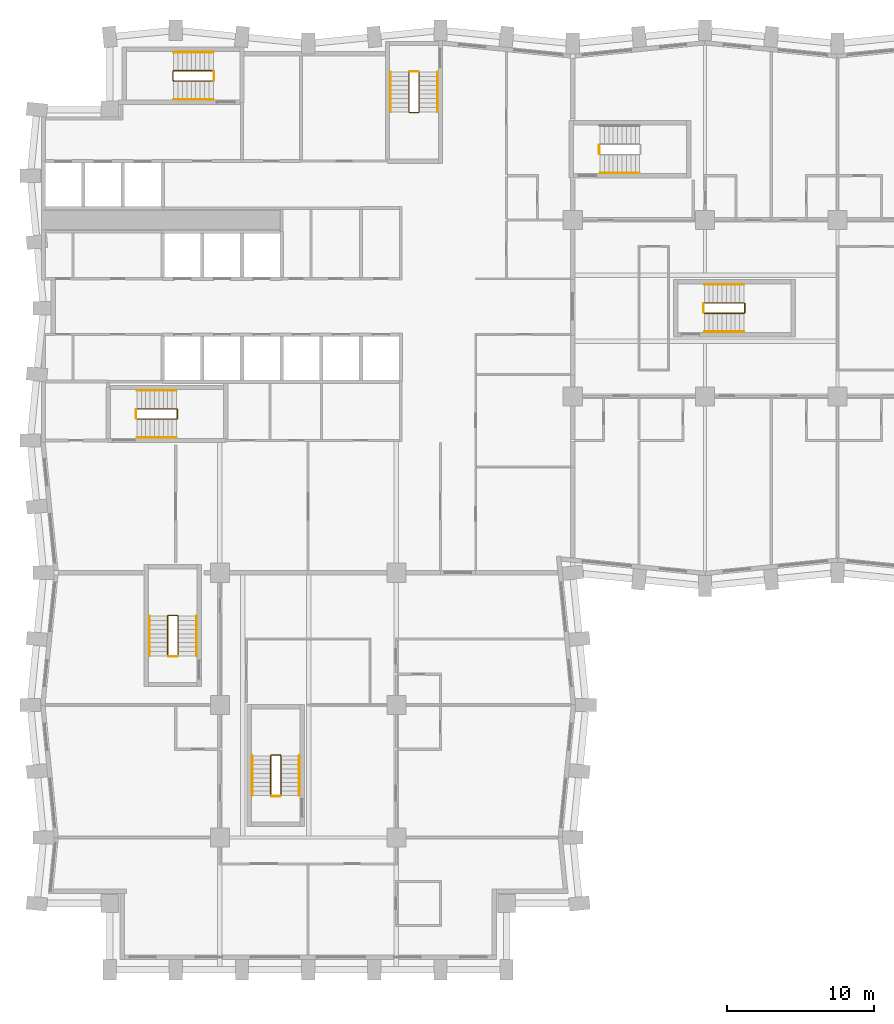
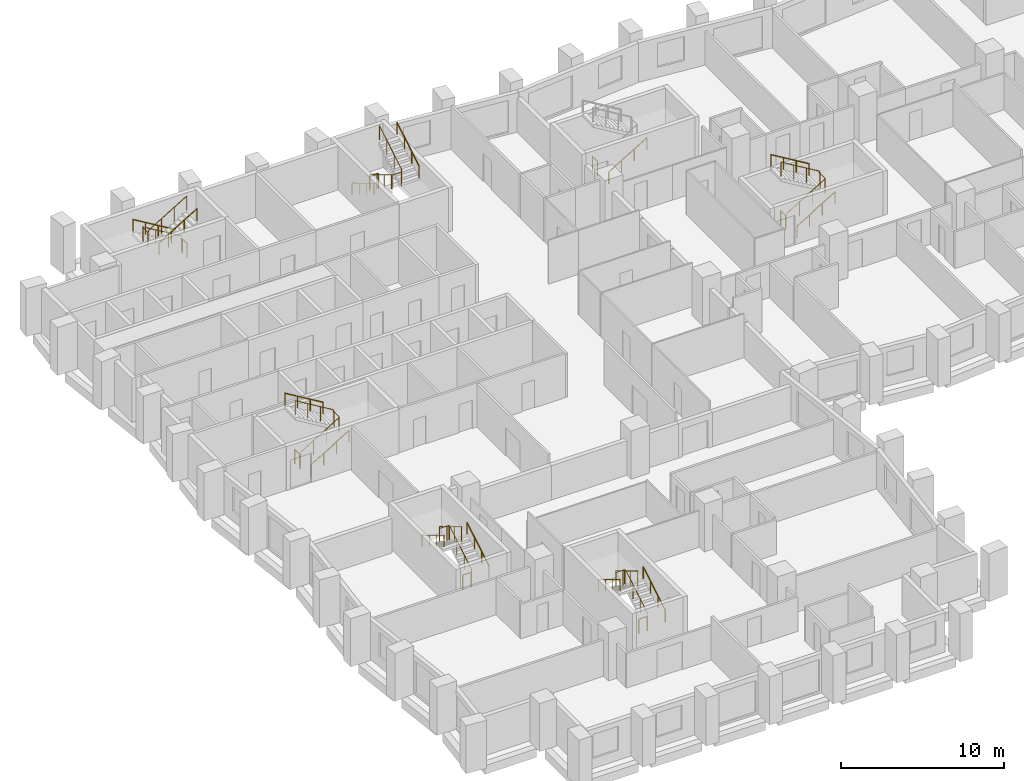
# One storey, part 11 of 12: 26 railings.
"""IFC4 building model written with IfcOpenShell, lengths in metres."""

from ifc_helpers import new_model, si_unit, direction, frame, origin, origin_2d, place, context, subcontext, project, spatial, circle, extrude, material, type_object, element, save


model = new_model("IFC4")

# Units and contexts
model_context = context("Model", 3, precision=1e-05, world=origin(), true_north=direction((0.0, 1.0)))
body_context = subcontext(model_context, "Body", "Model", "MODEL_VIEW")
ifc_project = project(units=[si_unit("LENGTHUNIT", "METRE"), si_unit("AREAUNIT", "SQUARE_METRE"), si_unit("VOLUMEUNIT", "CUBIC_METRE"), si_unit("PLANEANGLEUNIT", "RADIAN"), si_unit("MASSUNIT", "GRAM", prefix="KILO")], contexts=[model_context])

# Site, building, storey
site_placement = place(None, origin())
site = spatial("IfcSite", under=ifc_project, at=site_placement, CompositionType="ELEMENT")
building_placement = place(site_placement, origin())
building = spatial("IfcBuilding", under=site, at=building_placement, Name="Brondeck Convention Tower", CompositionType="ELEMENT")
storey_placement = place(building_placement, frame((0.0, 0.0, 55.5)))
storey = spatial("IfcBuildingStorey", under=building, at=storey_placement, Name="L11", CompositionType="ELEMENT", Elevation=55.5)

# Railings
ifc_material = material(Name="Steel S355", Category="steel")
railing_type_1 = type_object("IfcRailingType", Name="Stair guard 1100", PredefinedType="GUARDRAIL", material=ifc_material)
railing_1_placement = place(storey_placement, frame((6.35009765625, 37.449951171875, 0.179931640625)))
element("IfcRailing", 1, at=railing_1_placement, inside=storey, type_object=railing_type_1, Name="L11 ST-1 stair guard 1", PredefinedType="GUARDRAIL", context=body_context, shape_type="SweptSolid", body=[
    extrude(circle(Radius=0.02392578125, at=origin_2d()), frame((0.0, 0.0, 1.076171875), z_axis=(0.857472400752, 0.0, 0.514529962148), x_axis=(0.0, 1.0, 0.0)), (0.0, 0.0, 1.0), 3.148681640625),
    extrude(circle(Radius=0.02392578125, at=origin_2d()), frame((2.699951171875, 0.0, 2.6962890625), z_axis=(0.707106781187, 0.707106781187, 0.0), x_axis=(-0.707106781187, 0.707106781187, 0.0)), (0.0, 0.0, 1.0), 0.07080078125),
    extrude(circle(Radius=0.02392578125, at=origin_2d()), frame((2.75, 0.050048828125, 2.6962890625), z_axis=(0.0, 1.0, 0.0), x_axis=(-1.0, 0.0, 0.0)), (0.0, 0.0, 1.0), 0.60009765625),
    extrude(circle(Radius=0.02392578125, at=origin_2d()), frame((2.75, 0.650146484375, 2.6962890625), z_axis=(-0.258932105505, 0.257669022063, 0.930892496375), x_axis=(-0.705375805398, -0.708833529934, 0.0)), (0.0, 0.0, 1.0), 0.193359375),
    extrude(circle(Radius=0.02392578125, at=origin_2d()), frame((2.699951171875, 0.699951171875, 2.8759765625), z_axis=(-0.857472400752, 0.0, 0.514529962148), x_axis=(0.0, -1.0, 0.0)), (0.0, 0.0, 1.0), 3.148681640625),
    extrude(circle(Radius=0.02099609375, at=origin_2d()), origin(), (0.0, 0.0, 1.0), 1.052001953125),
    extrude(circle(Radius=0.02099609375, at=origin_2d()), frame((0.89990234375, 0.0, 0.5400390625)), (0.0, 0.0, 1.0), 1.052001953125),
    extrude(circle(Radius=0.02099609375, at=origin_2d()), frame((1.800048828125, 0.0, 1.080078125)), (0.0, 0.0, 1.0), 1.052001953125),
    extrude(circle(Radius=0.02099609375, at=origin_2d()), frame((2.699951171875, 0.0, 1.6201171875)), (0.0, 0.0, 1.0), 1.052001953125),
    extrude(circle(Radius=0.02099609375, at=origin_2d()), frame((2.75, 0.050048828125, 1.6201171875)), (0.0, 0.0, 1.0), 1.052001953125),
    extrude(circle(Radius=0.02099609375, at=origin_2d()), frame((2.75, 0.650146484375, 1.6201171875)), (0.0, 0.0, 1.0), 1.052001953125),
    extrude(circle(Radius=0.02099609375, at=origin_2d()), frame((2.699951171875, 0.699951171875, 1.800048828125)), (0.0, 0.0, 1.0), 1.052001953125),
    extrude(circle(Radius=0.02099609375, at=origin_2d()), frame((1.800048828125, 0.699951171875, 2.340087890625)), (0.0, 0.0, 1.0), 1.052001953125),
    extrude(circle(Radius=0.02099609375, at=origin_2d()), frame((0.89990234375, 0.699951171875, 2.880126953125)), (0.0, 0.0, 1.0), 1.052001953125),
    extrude(circle(Radius=0.02099609375, at=origin_2d()), frame((0.0, 0.699951171875, 3.420166015625)), (0.0, 0.0, 1.0), 1.052001953125),
])
railing_2_placement = place(storey_placement, frame((6.300048828125, 37.5, 0.0)))
element("IfcRailing", 2, at=railing_2_placement, inside=storey, type_object=railing_type_1, Name="L11 ST-1 stair guard 2", PredefinedType="GUARDRAIL", context=body_context, shape_type="SweptSolid", body=[
    extrude(circle(Radius=0.02392578125, at=origin_2d()), frame((0.0, 0.0, 1.076171875), z_axis=(0.0, 1.0, 0.0), x_axis=(-1.0, 0.0, 0.0)), (0.0, 0.0, 1.0), 0.60009765625),
    extrude(circle(Radius=0.02099609375, at=origin_2d()), origin(), (0.0, 0.0, 1.0), 1.052001953125),
    extrude(circle(Radius=0.02099609375, at=origin_2d()), frame((0.0, 0.60009765625, 0.0)), (0.0, 0.0, 1.0), 1.052001953125),
])
railing_3_placement = place(storey_placement, frame((24.85009765625, 61.050048828125, 0.179931640625)))
element("IfcRailing", 3, at=railing_3_placement, inside=storey, type_object=railing_type_1, Name="L11 ST-2 stair guard 1", PredefinedType="GUARDRAIL", context=body_context, shape_type="SweptSolid", body=[
    extrude(circle(Radius=0.02392578125, at=origin_2d()), frame((0.0, 0.0, 1.076171875), z_axis=(0.0, -0.857472400752, 0.514529962148), x_axis=(1.0, 0.0, 0.0)), (0.0, 0.0, 1.0), 3.148681640625),
    extrude(circle(Radius=0.02392578125, at=origin_2d()), frame((0.0, -2.699951171875, 2.6962890625), z_axis=(0.705375805398, -0.708833529934, 0.0), x_axis=(0.708833529934, 0.705375805398, 0.0)), (0.0, 0.0, 1.0), 0.070556640625),
    extrude(circle(Radius=0.02392578125, at=origin_2d()), frame((0.0498046875, -2.75, 2.6962890625), z_axis=(1.0, 0.0, 0.0), x_axis=(0.0, 1.0, 0.0)), (0.0, 0.0, 1.0), 0.60009765625),
    extrude(circle(Radius=0.02392578125, at=origin_2d()), frame((0.64990234375, -2.75, 2.6962890625), z_axis=(0.258847668887, 0.258847668887, 0.930588936439), x_axis=(-0.707106781187, 0.707106781187, 0.0)), (0.0, 0.0, 1.0), 0.193359375),
    extrude(circle(Radius=0.02392578125, at=origin_2d()), frame((0.699951171875, -2.699951171875, 2.8759765625), z_axis=(0.0, 0.857472400752, 0.514529962148), x_axis=(-1.0, 0.0, 0.0)), (0.0, 0.0, 1.0), 3.148681640625),
    extrude(circle(Radius=0.02099609375, at=origin_2d()), origin(), (0.0, 0.0, 1.0), 1.052001953125),
    extrude(circle(Radius=0.02099609375, at=origin_2d()), frame((0.0, -0.89990234375, 0.5400390625)), (0.0, 0.0, 1.0), 1.052001953125),
    extrude(circle(Radius=0.02099609375, at=origin_2d()), frame((0.0, -1.800048828125, 1.080078125)), (0.0, 0.0, 1.0), 1.052001953125),
    extrude(circle(Radius=0.02099609375, at=origin_2d()), frame((0.0, -2.699951171875, 1.6201171875)), (0.0, 0.0, 1.0), 1.052001953125),
    extrude(circle(Radius=0.02099609375, at=origin_2d()), frame((0.0498046875, -2.75, 1.6201171875)), (0.0, 0.0, 1.0), 1.052001953125),
    extrude(circle(Radius=0.02099609375, at=origin_2d()), frame((0.64990234375, -2.75, 1.6201171875)), (0.0, 0.0, 1.0), 1.052001953125),
    extrude(circle(Radius=0.02099609375, at=origin_2d()), frame((0.699951171875, -2.699951171875, 1.800048828125)), (0.0, 0.0, 1.0), 1.052001953125),
    extrude(circle(Radius=0.02099609375, at=origin_2d()), frame((0.699951171875, -1.800048828125, 2.340087890625)), (0.0, 0.0, 1.0), 1.052001953125),
    extrude(circle(Radius=0.02099609375, at=origin_2d()), frame((0.699951171875, -0.89990234375, 2.880126953125)), (0.0, 0.0, 1.0), 1.052001953125),
    extrude(circle(Radius=0.02099609375, at=origin_2d()), frame((0.699951171875, 0.0, 3.420166015625)), (0.0, 0.0, 1.0), 1.052001953125),
])
railing_4_placement = place(storey_placement, frame((24.89990234375, 61.10009765625, 0.0)))
element("IfcRailing", 4, at=railing_4_placement, inside=storey, type_object=railing_type_1, Name="L11 ST-2 stair guard 2", PredefinedType="GUARDRAIL", context=body_context, shape_type="SweptSolid", body=[
    extrude(circle(Radius=0.02392578125, at=origin_2d()), frame((0.0, 0.0, 1.076171875), z_axis=(1.0, 0.0, 0.0), x_axis=(0.0, 1.0, 0.0)), (0.0, 0.0, 1.0), 0.60009765625),
    extrude(circle(Radius=0.02099609375, at=origin_2d()), origin(), (0.0, 0.0, 1.0), 1.052001953125),
    extrude(circle(Radius=0.02099609375, at=origin_2d()), frame((0.60009765625, 0.0, 0.0)), (0.0, 0.0, 1.0), 1.052001953125),
])
railing_5_placement = place(storey_placement, frame((11.550048828125, 61.14990234375, 0.179931640625)))
element("IfcRailing", 5, at=railing_5_placement, inside=storey, type_object=railing_type_1, Name="L11 ST-3 stair guard 1", PredefinedType="GUARDRAIL", context=body_context, shape_type="SweptSolid", body=[
    extrude(circle(Radius=0.02392578125, at=origin_2d()), frame((0.0, 0.0, 1.076171875), z_axis=(-0.857472400752, 0.0, 0.514529962148), x_axis=(0.0, -1.0, 0.0)), (0.0, 0.0, 1.0), 3.148681640625),
    extrude(circle(Radius=0.02392578125, at=origin_2d()), frame((-2.699951171875, 0.0, 2.6962890625), z_axis=(-0.708833529934, -0.705375805398, 0.0), x_axis=(0.705375805398, -0.708833529934, 0.0)), (0.0, 0.0, 1.0), 0.070556640625),
    extrude(circle(Radius=0.02392578125, at=origin_2d()), frame((-2.75, -0.0498046875, 2.6962890625), z_axis=(0.0, -1.0, 0.0), x_axis=(1.0, 0.0, 0.0)), (0.0, 0.0, 1.0), 0.60009765625),
    extrude(circle(Radius=0.02392578125, at=origin_2d()), frame((-2.75, -0.64990234375, 2.6962890625), z_axis=(0.258847668887, -0.258847668887, 0.930588936439), x_axis=(0.707106781187, 0.707106781187, 0.0)), (0.0, 0.0, 1.0), 0.193359375),
    extrude(circle(Radius=0.02392578125, at=origin_2d()), frame((-2.699951171875, -0.699951171875, 2.8759765625), z_axis=(0.857472400752, 0.0, 0.514529962148), x_axis=(0.0, 1.0, 0.0)), (0.0, 0.0, 1.0), 3.148681640625),
    extrude(circle(Radius=0.02099609375, at=origin_2d()), origin(), (0.0, 0.0, 1.0), 1.052001953125),
    extrude(circle(Radius=0.02099609375, at=origin_2d()), frame((-0.89990234375, 0.0, 0.5400390625)), (0.0, 0.0, 1.0), 1.052001953125),
    extrude(circle(Radius=0.02099609375, at=origin_2d()), frame((-1.800048828125, 0.0, 1.080078125)), (0.0, 0.0, 1.0), 1.052001953125),
    extrude(circle(Radius=0.02099609375, at=origin_2d()), frame((-2.699951171875, 0.0, 1.6201171875)), (0.0, 0.0, 1.0), 1.052001953125),
    extrude(circle(Radius=0.02099609375, at=origin_2d()), frame((-2.75, -0.0498046875, 1.6201171875)), (0.0, 0.0, 1.0), 1.052001953125),
    extrude(circle(Radius=0.02099609375, at=origin_2d()), frame((-2.75, -0.64990234375, 1.6201171875)), (0.0, 0.0, 1.0), 1.052001953125),
    extrude(circle(Radius=0.02099609375, at=origin_2d()), frame((-2.699951171875, -0.699951171875, 1.800048828125)), (0.0, 0.0, 1.0), 1.052001953125),
    extrude(circle(Radius=0.02099609375, at=origin_2d()), frame((-1.800048828125, -0.699951171875, 2.340087890625)), (0.0, 0.0, 1.0), 1.052001953125),
    extrude(circle(Radius=0.02099609375, at=origin_2d()), frame((-0.89990234375, -0.699951171875, 2.880126953125)), (0.0, 0.0, 1.0), 1.052001953125),
    extrude(circle(Radius=0.02099609375, at=origin_2d()), frame((0.0, -0.699951171875, 3.420166015625)), (0.0, 0.0, 1.0), 1.052001953125),
])
railing_6_placement = place(storey_placement, frame((11.60009765625, 61.10009765625, 0.0)))
element("IfcRailing", 6, at=railing_6_placement, inside=storey, type_object=railing_type_1, Name="L11 ST-3 stair guard 2", PredefinedType="GUARDRAIL", context=body_context, shape_type="SweptSolid", body=[
    extrude(circle(Radius=0.02392578125, at=origin_2d()), frame((0.0, 0.0, 1.076171875), z_axis=(0.0, -1.0, 0.0), x_axis=(1.0, 0.0, 0.0)), (0.0, 0.0, 1.0), 0.60009765625),
    extrude(circle(Radius=0.02099609375, at=origin_2d()), origin(), (0.0, 0.0, 1.0), 1.052001953125),
    extrude(circle(Radius=0.02099609375, at=origin_2d()), frame((0.0, -0.60009765625, 0.0)), (0.0, 0.0, 1.0), 1.052001953125),
])
railing_7_placement = place(storey_placement, frame((37.800048828125, 55.5, 0.0)))
element("IfcRailing", 7, at=railing_7_placement, inside=storey, type_object=railing_type_1, Name="L11 ST-AE stair guard 2", PredefinedType="GUARDRAIL", context=body_context, shape_type="SweptSolid", body=[
    extrude(circle(Radius=0.02392578125, at=origin_2d()), frame((0.0, 0.0, 1.076171875), z_axis=(0.0, 1.0, 0.0), x_axis=(-1.0, 0.0, 0.0)), (0.0, 0.0, 1.0), 0.60009765625),
    extrude(circle(Radius=0.02099609375, at=origin_2d()), origin(), (0.0, 0.0, 1.0), 1.052001953125),
    extrude(circle(Radius=0.02099609375, at=origin_2d()), frame((0.0, 0.60009765625, 0.0)), (0.0, 0.0, 1.0), 1.052001953125),
])
railing_8_placement = place(storey_placement, frame((9.14990234375, 21.35009765625, 0.179931640625)))
element("IfcRailing", 8, at=railing_8_placement, inside=storey, type_object=railing_type_1, Name="L11 ST-BE stair guard 1", PredefinedType="GUARDRAIL", context=body_context, shape_type="SweptSolid", body=[
    extrude(circle(Radius=0.02392578125, at=origin_2d()), frame((0.0, 0.0, 1.076171875), z_axis=(0.0, 0.857472400752, 0.514529962148), x_axis=(-1.0, 0.0, 0.0)), (0.0, 0.0, 1.0), 3.148681640625),
    extrude(circle(Radius=0.02392578125, at=origin_2d()), frame((0.0, 2.699951171875, 2.6962890625), z_axis=(-0.705375805398, 0.708833529934, 0.0), x_axis=(-0.708833529934, -0.705375805398, 0.0)), (0.0, 0.0, 1.0), 0.070556640625),
    extrude(circle(Radius=0.02392578125, at=origin_2d()), frame((-0.0498046875, 2.75, 2.6962890625), z_axis=(-1.0, 0.0, 0.0), x_axis=(0.0, -1.0, 0.0)), (0.0, 0.0, 1.0), 0.60009765625),
    extrude(circle(Radius=0.02392578125, at=origin_2d()), frame((-0.64990234375, 2.75, 2.6962890625), z_axis=(-0.258847668887, -0.258847668887, 0.930588936439), x_axis=(0.707106781187, -0.707106781187, 0.0)), (0.0, 0.0, 1.0), 0.193359375),
    extrude(circle(Radius=0.02392578125, at=origin_2d()), frame((-0.699951171875, 2.699951171875, 2.8759765625), z_axis=(0.0, -0.857472400752, 0.514529962148), x_axis=(1.0, 0.0, 0.0)), (0.0, 0.0, 1.0), 3.148681640625),
    extrude(circle(Radius=0.02099609375, at=origin_2d()), origin(), (0.0, 0.0, 1.0), 1.052001953125),
    extrude(circle(Radius=0.02099609375, at=origin_2d()), frame((0.0, 0.89990234375, 0.5400390625)), (0.0, 0.0, 1.0), 1.052001953125),
    extrude(circle(Radius=0.02099609375, at=origin_2d()), frame((0.0, 1.800048828125, 1.080078125)), (0.0, 0.0, 1.0), 1.052001953125),
    extrude(circle(Radius=0.02099609375, at=origin_2d()), frame((0.0, 2.699951171875, 1.6201171875)), (0.0, 0.0, 1.0), 1.052001953125),
    extrude(circle(Radius=0.02099609375, at=origin_2d()), frame((-0.0498046875, 2.75, 1.6201171875)), (0.0, 0.0, 1.0), 1.052001953125),
    extrude(circle(Radius=0.02099609375, at=origin_2d()), frame((-0.64990234375, 2.75, 1.6201171875)), (0.0, 0.0, 1.0), 1.052001953125),
    extrude(circle(Radius=0.02099609375, at=origin_2d()), frame((-0.699951171875, 2.699951171875, 1.800048828125)), (0.0, 0.0, 1.0), 1.052001953125),
    extrude(circle(Radius=0.02099609375, at=origin_2d()), frame((-0.699951171875, 1.800048828125, 2.340087890625)), (0.0, 0.0, 1.0), 1.052001953125),
    extrude(circle(Radius=0.02099609375, at=origin_2d()), frame((-0.699951171875, 0.89990234375, 2.880126953125)), (0.0, 0.0, 1.0), 1.052001953125),
    extrude(circle(Radius=0.02099609375, at=origin_2d()), frame((-0.699951171875, 0.0, 3.420166015625)), (0.0, 0.0, 1.0), 1.052001953125),
])
railing_9_placement = place(storey_placement, frame((9.10009765625, 21.300048828125, 0.0)))
element("IfcRailing", 9, at=railing_9_placement, inside=storey, type_object=railing_type_1, Name="L11 ST-BE stair guard 2", PredefinedType="GUARDRAIL", context=body_context, shape_type="SweptSolid", body=[
    extrude(circle(Radius=0.02392578125, at=origin_2d()), frame((0.0, 0.0, 1.076171875), z_axis=(-1.0, 0.0, 0.0), x_axis=(0.0, -1.0, 0.0)), (0.0, 0.0, 1.0), 0.60009765625),
    extrude(circle(Radius=0.02099609375, at=origin_2d()), origin(), (0.0, 0.0, 1.0), 1.052001953125),
    extrude(circle(Radius=0.02099609375, at=origin_2d()), frame((-0.60009765625, 0.0, 0.0)), (0.0, 0.0, 1.0), 1.052001953125),
])
railing_10_placement = place(storey_placement, frame((44.949951171875, 44.64990234375, 0.179931640625)))
element("IfcRailing", 10, at=railing_10_placement, inside=storey, type_object=railing_type_1, Name="L11 ST-AF stair guard 1", PredefinedType="GUARDRAIL", context=body_context, shape_type="SweptSolid", body=[
    extrude(circle(Radius=0.02392578125, at=origin_2d()), frame((0.0, 0.0, 1.076171875), z_axis=(0.857472400752, 0.0, 0.514529962148), x_axis=(0.0, 1.0, 0.0)), (0.0, 0.0, 1.0), 3.148681640625),
    extrude(circle(Radius=0.02392578125, at=origin_2d()), frame((2.699951171875, 0.0, 2.6962890625), z_axis=(0.707106781187, 0.707106781187, 0.0), x_axis=(-0.707106781187, 0.707106781187, 0.0)), (0.0, 0.0, 1.0), 0.07080078125),
    extrude(circle(Radius=0.02392578125, at=origin_2d()), frame((2.75, 0.050048828125, 2.6962890625), z_axis=(0.0, 1.0, 0.0), x_axis=(-1.0, 0.0, 0.0)), (0.0, 0.0, 1.0), 0.60009765625),
    extrude(circle(Radius=0.02392578125, at=origin_2d()), frame((2.75, 0.650146484375, 2.6962890625), z_axis=(-0.258847668887, 0.258847668887, 0.930588936439), x_axis=(-0.707106781187, -0.707106781187, 0.0)), (0.0, 0.0, 1.0), 0.193359375),
    extrude(circle(Radius=0.02392578125, at=origin_2d()), frame((2.699951171875, 0.7001953125, 2.8759765625), z_axis=(-0.857472400752, 0.0, 0.514529962148), x_axis=(0.0, -1.0, 0.0)), (0.0, 0.0, 1.0), 3.148681640625),
    extrude(circle(Radius=0.02099609375, at=origin_2d()), origin(), (0.0, 0.0, 1.0), 1.052001953125),
    extrude(circle(Radius=0.02099609375, at=origin_2d()), frame((0.89990234375, 0.0, 0.5400390625)), (0.0, 0.0, 1.0), 1.052001953125),
    extrude(circle(Radius=0.02099609375, at=origin_2d()), frame((1.800048828125, 0.0, 1.080078125)), (0.0, 0.0, 1.0), 1.052001953125),
    extrude(circle(Radius=0.02099609375, at=origin_2d()), frame((2.699951171875, 0.0, 1.6201171875)), (0.0, 0.0, 1.0), 1.052001953125),
    extrude(circle(Radius=0.02099609375, at=origin_2d()), frame((2.75, 0.050048828125, 1.6201171875)), (0.0, 0.0, 1.0), 1.052001953125),
    extrude(circle(Radius=0.02099609375, at=origin_2d()), frame((2.75, 0.650146484375, 1.6201171875)), (0.0, 0.0, 1.0), 1.052001953125),
    extrude(circle(Radius=0.02099609375, at=origin_2d()), frame((2.699951171875, 0.7001953125, 1.800048828125)), (0.0, 0.0, 1.0), 1.052001953125),
    extrude(circle(Radius=0.02099609375, at=origin_2d()), frame((1.800048828125, 0.7001953125, 2.340087890625)), (0.0, 0.0, 1.0), 1.052001953125),
    extrude(circle(Radius=0.02099609375, at=origin_2d()), frame((0.89990234375, 0.7001953125, 2.880126953125)), (0.0, 0.0, 1.0), 1.052001953125),
    extrude(circle(Radius=0.02099609375, at=origin_2d()), frame((0.0, 0.7001953125, 3.420166015625)), (0.0, 0.0, 1.0), 1.052001953125),
])
railing_11_placement = place(storey_placement, frame((44.89990234375, 44.699951171875, 0.0)))
element("IfcRailing", 11, at=railing_11_placement, inside=storey, type_object=railing_type_1, Name="L11 ST-AF stair guard 2", PredefinedType="GUARDRAIL", context=body_context, shape_type="SweptSolid", body=[
    extrude(circle(Radius=0.02392578125, at=origin_2d()), frame((0.0, 0.0, 1.076171875), z_axis=(0.0, 1.0, 0.0), x_axis=(-1.0, 0.0, 0.0)), (0.0, 0.0, 1.0), 0.60009765625),
    extrude(circle(Radius=0.02099609375, at=origin_2d()), origin(), (0.0, 0.0, 1.0), 1.052001953125),
    extrude(circle(Radius=0.02099609375, at=origin_2d()), frame((0.0, 0.60009765625, 0.0)), (0.0, 0.0, 1.0), 1.052001953125),
])
railing_12_placement = place(storey_placement, frame((16.14990234375, 11.85009765625, 0.179931640625)))
element("IfcRailing", 12, at=railing_12_placement, inside=storey, type_object=railing_type_1, Name="L11 ST-BF stair guard 1", PredefinedType="GUARDRAIL", context=body_context, shape_type="SweptSolid", body=[
    extrude(circle(Radius=0.02392578125, at=origin_2d()), frame((0.0, 0.0, 1.076171875), z_axis=(0.0, 0.857472400752, 0.514529962148), x_axis=(-1.0, 0.0, 0.0)), (0.0, 0.0, 1.0), 3.148681640625),
    extrude(circle(Radius=0.02392578125, at=origin_2d()), frame((0.0, 2.699951171875, 2.6962890625), z_axis=(-0.705375805398, 0.708833529934, 0.0), x_axis=(-0.708833529934, -0.705375805398, 0.0)), (0.0, 0.0, 1.0), 0.070556640625),
    extrude(circle(Radius=0.02392578125, at=origin_2d()), frame((-0.0498046875, 2.75, 2.6962890625), z_axis=(-1.0, 0.0, 0.0), x_axis=(0.0, -1.0, 0.0)), (0.0, 0.0, 1.0), 0.60009765625),
    extrude(circle(Radius=0.02392578125, at=origin_2d()), frame((-0.64990234375, 2.75, 2.6962890625), z_axis=(-0.258847668887, -0.258847668887, 0.930588936439), x_axis=(0.707106781187, -0.707106781187, 0.0)), (0.0, 0.0, 1.0), 0.193359375),
    extrude(circle(Radius=0.02392578125, at=origin_2d()), frame((-0.699951171875, 2.699951171875, 2.8759765625), z_axis=(0.0, -0.857472400752, 0.514529962148), x_axis=(1.0, 0.0, 0.0)), (0.0, 0.0, 1.0), 3.148681640625),
    extrude(circle(Radius=0.02099609375, at=origin_2d()), origin(), (0.0, 0.0, 1.0), 1.052001953125),
    extrude(circle(Radius=0.02099609375, at=origin_2d()), frame((0.0, 0.89990234375, 0.5400390625)), (0.0, 0.0, 1.0), 1.052001953125),
    extrude(circle(Radius=0.02099609375, at=origin_2d()), frame((0.0, 1.800048828125, 1.080078125)), (0.0, 0.0, 1.0), 1.052001953125),
    extrude(circle(Radius=0.02099609375, at=origin_2d()), frame((0.0, 2.699951171875, 1.6201171875)), (0.0, 0.0, 1.0), 1.052001953125),
    extrude(circle(Radius=0.02099609375, at=origin_2d()), frame((-0.0498046875, 2.75, 1.6201171875)), (0.0, 0.0, 1.0), 1.052001953125),
    extrude(circle(Radius=0.02099609375, at=origin_2d()), frame((-0.64990234375, 2.75, 1.6201171875)), (0.0, 0.0, 1.0), 1.052001953125),
    extrude(circle(Radius=0.02099609375, at=origin_2d()), frame((-0.699951171875, 2.699951171875, 1.800048828125)), (0.0, 0.0, 1.0), 1.052001953125),
    extrude(circle(Radius=0.02099609375, at=origin_2d()), frame((-0.699951171875, 1.800048828125, 2.340087890625)), (0.0, 0.0, 1.0), 1.052001953125),
    extrude(circle(Radius=0.02099609375, at=origin_2d()), frame((-0.699951171875, 0.89990234375, 2.880126953125)), (0.0, 0.0, 1.0), 1.052001953125),
    extrude(circle(Radius=0.02099609375, at=origin_2d()), frame((-0.699951171875, 0.0, 3.420166015625)), (0.0, 0.0, 1.0), 1.052001953125),
])
railing_13_placement = place(storey_placement, frame((16.10009765625, 11.800048828125, 0.0)))
element("IfcRailing", 13, at=railing_13_placement, inside=storey, type_object=railing_type_1, Name="L11 ST-BF stair guard 2", PredefinedType="GUARDRAIL", context=body_context, shape_type="SweptSolid", body=[
    extrude(circle(Radius=0.02392578125, at=origin_2d()), frame((0.0, 0.0, 1.076171875), z_axis=(-1.0, 0.0, 0.0), x_axis=(0.0, -1.0, 0.0)), (0.0, 0.0, 1.0), 0.60009765625),
    extrude(circle(Radius=0.02099609375, at=origin_2d()), origin(), (0.0, 0.0, 1.0), 1.052001953125),
    extrude(circle(Radius=0.02099609375, at=origin_2d()), frame((-0.60009765625, 0.0, 0.0)), (0.0, 0.0, 1.0), 1.052001953125),
])
railing_type_2 = type_object("IfcRailingType", Name="Stair handrail", PredefinedType="HANDRAIL", material=ifc_material)
railing_14_placement = place(storey_placement, frame((6.35009765625, 36.199951171875, 0.179931640625)))
element("IfcRailing", 14, at=railing_14_placement, inside=storey, type_object=railing_type_2, Name="L11 ST-1 stair handrail 1", PredefinedType="HANDRAIL", context=body_context, shape_type="SweptSolid", body=[
    extrude(circle(Radius=0.02392578125, at=origin_2d()), frame((0.0, 0.0, 0.8759765625), z_axis=(0.857472400752, 0.0, 0.514529962148), x_axis=(0.0, 1.0, 0.0)), (0.0, 0.0, 1.0), 3.148681640625),
    extrude(circle(Radius=0.02099609375, at=origin_2d()), origin(), (0.0, 0.0, 1.0), 0.851806640625),
    extrude(circle(Radius=0.02099609375, at=origin_2d()), frame((0.89990234375, 0.0, 0.5400390625)), (0.0, 0.0, 1.0), 0.851806640625),
    extrude(circle(Radius=0.02099609375, at=origin_2d()), frame((1.800048828125, 0.0, 1.080078125)), (0.0, 0.0, 1.0), 0.851806640625),
    extrude(circle(Radius=0.02099609375, at=origin_2d()), frame((2.699951171875, 0.0, 1.6201171875)), (0.0, 0.0, 1.0), 0.851806640625),
])
railing_15_placement = place(storey_placement, frame((9.050048828125, 39.39990234375, 1.97998046875)))
element("IfcRailing", 15, at=railing_15_placement, inside=storey, type_object=railing_type_2, Name="L11 ST-1 stair handrail 2", PredefinedType="HANDRAIL", context=body_context, shape_type="SweptSolid", body=[
    extrude(circle(Radius=0.02392578125, at=origin_2d()), frame((0.0, 0.0, 0.8759765625), z_axis=(-0.857472400752, 0.0, 0.514529962148), x_axis=(0.0, -1.0, 0.0)), (0.0, 0.0, 1.0), 3.148681640625),
    extrude(circle(Radius=0.02099609375, at=origin_2d()), origin(), (0.0, 0.0, 1.0), 0.851806640625),
    extrude(circle(Radius=0.02099609375, at=origin_2d()), frame((-0.89990234375, 0.0, 0.5400390625)), (0.0, 0.0, 1.0), 0.851806640625),
    extrude(circle(Radius=0.02099609375, at=origin_2d()), frame((-1.800048828125, 0.0, 1.080078125)), (0.0, 0.0, 1.0), 0.851806640625),
    extrude(circle(Radius=0.02099609375, at=origin_2d()), frame((-2.699951171875, 0.0, 1.6201171875)), (0.0, 0.0, 1.0), 0.851806640625),
])
railing_16_placement = place(storey_placement, frame((23.60009765625, 61.050048828125, 0.179931640625)))
element("IfcRailing", 16, at=railing_16_placement, inside=storey, type_object=railing_type_2, Name="L11 ST-2 stair handrail 1", PredefinedType="HANDRAIL", context=body_context, shape_type="SweptSolid", body=[
    extrude(circle(Radius=0.02392578125, at=origin_2d()), frame((0.0, 0.0, 0.8759765625), z_axis=(0.0, -0.857472400752, 0.514529962148), x_axis=(1.0, 0.0, 0.0)), (0.0, 0.0, 1.0), 3.148681640625),
    extrude(circle(Radius=0.02099609375, at=origin_2d()), origin(), (0.0, 0.0, 1.0), 0.851806640625),
    extrude(circle(Radius=0.02099609375, at=origin_2d()), frame((0.0, -0.89990234375, 0.5400390625)), (0.0, 0.0, 1.0), 0.851806640625),
    extrude(circle(Radius=0.02099609375, at=origin_2d()), frame((0.0, -1.800048828125, 1.080078125)), (0.0, 0.0, 1.0), 0.851806640625),
    extrude(circle(Radius=0.02099609375, at=origin_2d()), frame((0.0, -2.699951171875, 1.6201171875)), (0.0, 0.0, 1.0), 0.851806640625),
])
railing_17_placement = place(storey_placement, frame((26.800048828125, 58.35009765625, 1.97998046875)))
element("IfcRailing", 17, at=railing_17_placement, inside=storey, type_object=railing_type_2, Name="L11 ST-2 stair handrail 2", PredefinedType="HANDRAIL", context=body_context, shape_type="SweptSolid", body=[
    extrude(circle(Radius=0.02392578125, at=origin_2d()), frame((0.0, 0.0, 0.8759765625), z_axis=(0.0, 0.857472400752, 0.514529962148), x_axis=(-1.0, 0.0, 0.0)), (0.0, 0.0, 1.0), 3.148681640625),
    extrude(circle(Radius=0.02099609375, at=origin_2d()), origin(), (0.0, 0.0, 1.0), 0.851806640625),
    extrude(circle(Radius=0.02099609375, at=origin_2d()), frame((0.0, 0.89990234375, 0.5400390625)), (0.0, 0.0, 1.0), 0.851806640625),
    extrude(circle(Radius=0.02099609375, at=origin_2d()), frame((0.0, 1.800048828125, 1.080078125)), (0.0, 0.0, 1.0), 0.851806640625),
    extrude(circle(Radius=0.02099609375, at=origin_2d()), frame((0.0, 2.699951171875, 1.6201171875)), (0.0, 0.0, 1.0), 0.851806640625),
])
railing_18_placement = place(storey_placement, frame((11.550048828125, 62.39990234375, 0.179931640625)))
element("IfcRailing", 18, at=railing_18_placement, inside=storey, type_object=railing_type_2, Name="L11 ST-3 stair handrail 1", PredefinedType="HANDRAIL", context=body_context, shape_type="SweptSolid", body=[
    extrude(circle(Radius=0.02392578125, at=origin_2d()), frame((0.0, 0.0, 0.8759765625), z_axis=(-0.857472400752, 0.0, 0.514529962148), x_axis=(0.0, -1.0, 0.0)), (0.0, 0.0, 1.0), 3.148681640625),
    extrude(circle(Radius=0.02099609375, at=origin_2d()), origin(), (0.0, 0.0, 1.0), 0.851806640625),
    extrude(circle(Radius=0.02099609375, at=origin_2d()), frame((-0.89990234375, 0.0, 0.5400390625)), (0.0, 0.0, 1.0), 0.851806640625),
    extrude(circle(Radius=0.02099609375, at=origin_2d()), frame((-1.800048828125, 0.0, 1.080078125)), (0.0, 0.0, 1.0), 0.851806640625),
    extrude(circle(Radius=0.02099609375, at=origin_2d()), frame((-2.699951171875, 0.0, 1.6201171875)), (0.0, 0.0, 1.0), 0.851806640625),
])
for number, where, name in (
    (19, (8.85009765625, 59.199951171875, 1.97998046875), "L11 ST-3 stair handrail 2"),
    (20, (37.85009765625, 54.199951171875, 0.179931640625), "L11 ST-AE stair handrail 1"),
):
    element("IfcRailing", number, at=place(storey_placement, frame(where)), inside=storey, type_object=railing_type_2, Name=name, PredefinedType="HANDRAIL", context=body_context, shape_type="SweptSolid", body=[
        extrude(circle(Radius=0.02392578125, at=origin_2d()), frame((0.0, 0.0, 0.8759765625), z_axis=(0.857472400752, 0.0, 0.514529962148), x_axis=(0.0, 1.0, 0.0)), (0.0, 0.0, 1.0), 3.148681640625),
        extrude(circle(Radius=0.02099609375, at=origin_2d()), origin(), (0.0, 0.0, 1.0), 0.851806640625),
        extrude(circle(Radius=0.02099609375, at=origin_2d()), frame((0.89990234375, 0.0, 0.5400390625)), (0.0, 0.0, 1.0), 0.851806640625),
        extrude(circle(Radius=0.02099609375, at=origin_2d()), frame((1.800048828125, 0.0, 1.080078125)), (0.0, 0.0, 1.0), 0.851806640625),
        extrude(circle(Radius=0.02099609375, at=origin_2d()), frame((2.699951171875, 0.0, 1.6201171875)), (0.0, 0.0, 1.0), 0.851806640625),
    ])
railing_19_placement = place(storey_placement, frame((10.39990234375, 21.35009765625, 0.179931640625)))
element("IfcRailing", 21, at=railing_19_placement, inside=storey, type_object=railing_type_2, Name="L11 ST-BE stair handrail 1", PredefinedType="HANDRAIL", context=body_context, shape_type="SweptSolid", body=[
    extrude(circle(Radius=0.02392578125, at=origin_2d()), frame((0.0, 0.0, 0.8759765625), z_axis=(0.0, 0.857472400752, 0.514529962148), x_axis=(-1.0, 0.0, 0.0)), (0.0, 0.0, 1.0), 3.148681640625),
    extrude(circle(Radius=0.02099609375, at=origin_2d()), origin(), (0.0, 0.0, 1.0), 0.851806640625),
    extrude(circle(Radius=0.02099609375, at=origin_2d()), frame((0.0, 0.89990234375, 0.5400390625)), (0.0, 0.0, 1.0), 0.851806640625),
    extrude(circle(Radius=0.02099609375, at=origin_2d()), frame((0.0, 1.800048828125, 1.080078125)), (0.0, 0.0, 1.0), 0.851806640625),
    extrude(circle(Radius=0.02099609375, at=origin_2d()), frame((0.0, 2.699951171875, 1.6201171875)), (0.0, 0.0, 1.0), 0.851806640625),
])
railing_20_placement = place(storey_placement, frame((7.199951171875, 24.050048828125, 1.97998046875)))
element("IfcRailing", 22, at=railing_20_placement, inside=storey, type_object=railing_type_2, Name="L11 ST-BE stair handrail 2", PredefinedType="HANDRAIL", context=body_context, shape_type="SweptSolid", body=[
    extrude(circle(Radius=0.02392578125, at=origin_2d()), frame((0.0, 0.0, 0.8759765625), z_axis=(0.0, -0.857472400752, 0.514529962148), x_axis=(1.0, 0.0, 0.0)), (0.0, 0.0, 1.0), 3.148681640625),
    extrude(circle(Radius=0.02099609375, at=origin_2d()), origin(), (0.0, 0.0, 1.0), 0.851806640625),
    extrude(circle(Radius=0.02099609375, at=origin_2d()), frame((0.0, -0.89990234375, 0.5400390625)), (0.0, 0.0, 1.0), 0.851806640625),
    extrude(circle(Radius=0.02099609375, at=origin_2d()), frame((0.0, -1.800048828125, 1.080078125)), (0.0, 0.0, 1.0), 0.851806640625),
    extrude(circle(Radius=0.02099609375, at=origin_2d()), frame((0.0, -2.699951171875, 1.6201171875)), (0.0, 0.0, 1.0), 0.851806640625),
])
railing_21_placement = place(storey_placement, frame((44.949951171875, 43.39990234375, 0.179931640625)))
element("IfcRailing", 23, at=railing_21_placement, inside=storey, type_object=railing_type_2, Name="L11 ST-AF stair handrail 1", PredefinedType="HANDRAIL", context=body_context, shape_type="SweptSolid", body=[
    extrude(circle(Radius=0.02392578125, at=origin_2d()), frame((0.0, 0.0, 0.8759765625), z_axis=(0.857472400752, 0.0, 0.514529962148), x_axis=(0.0, 1.0, 0.0)), (0.0, 0.0, 1.0), 3.148681640625),
    extrude(circle(Radius=0.02099609375, at=origin_2d()), origin(), (0.0, 0.0, 1.0), 0.851806640625),
    extrude(circle(Radius=0.02099609375, at=origin_2d()), frame((0.89990234375, 0.0, 0.5400390625)), (0.0, 0.0, 1.0), 0.851806640625),
    extrude(circle(Radius=0.02099609375, at=origin_2d()), frame((1.800048828125, 0.0, 1.080078125)), (0.0, 0.0, 1.0), 0.851806640625),
    extrude(circle(Radius=0.02099609375, at=origin_2d()), frame((2.699951171875, 0.0, 1.6201171875)), (0.0, 0.0, 1.0), 0.851806640625),
])
railing_22_placement = place(storey_placement, frame((47.64990234375, 46.60009765625, 1.97998046875)))
element("IfcRailing", 24, at=railing_22_placement, inside=storey, type_object=railing_type_2, Name="L11 ST-AF stair handrail 2", PredefinedType="HANDRAIL", context=body_context, shape_type="SweptSolid", body=[
    extrude(circle(Radius=0.02392578125, at=origin_2d()), frame((0.0, 0.0, 0.8759765625), z_axis=(-0.857472400752, 0.0, 0.514529962148), x_axis=(0.0, -1.0, 0.0)), (0.0, 0.0, 1.0), 3.148681640625),
    extrude(circle(Radius=0.02099609375, at=origin_2d()), origin(), (0.0, 0.0, 1.0), 0.851806640625),
    extrude(circle(Radius=0.02099609375, at=origin_2d()), frame((-0.89990234375, 0.0, 0.5400390625)), (0.0, 0.0, 1.0), 0.851806640625),
    extrude(circle(Radius=0.02099609375, at=origin_2d()), frame((-1.800048828125, 0.0, 1.080078125)), (0.0, 0.0, 1.0), 0.851806640625),
    extrude(circle(Radius=0.02099609375, at=origin_2d()), frame((-2.699951171875, 0.0, 1.6201171875)), (0.0, 0.0, 1.0), 0.851806640625),
])
railing_23_placement = place(storey_placement, frame((17.39990234375, 11.85009765625, 0.179931640625)))
element("IfcRailing", 25, at=railing_23_placement, inside=storey, type_object=railing_type_2, Name="L11 ST-BF stair handrail 1", PredefinedType="HANDRAIL", context=body_context, shape_type="SweptSolid", body=[
    extrude(circle(Radius=0.02392578125, at=origin_2d()), frame((0.0, 0.0, 0.8759765625), z_axis=(0.0, 0.857472400752, 0.514529962148), x_axis=(-1.0, 0.0, 0.0)), (0.0, 0.0, 1.0), 3.148681640625),
    extrude(circle(Radius=0.02099609375, at=origin_2d()), origin(), (0.0, 0.0, 1.0), 0.851806640625),
    extrude(circle(Radius=0.02099609375, at=origin_2d()), frame((0.0, 0.89990234375, 0.5400390625)), (0.0, 0.0, 1.0), 0.851806640625),
    extrude(circle(Radius=0.02099609375, at=origin_2d()), frame((0.0, 1.800048828125, 1.080078125)), (0.0, 0.0, 1.0), 0.851806640625),
    extrude(circle(Radius=0.02099609375, at=origin_2d()), frame((0.0, 2.699951171875, 1.6201171875)), (0.0, 0.0, 1.0), 0.851806640625),
])
railing_24_placement = place(storey_placement, frame((14.199951171875, 14.550048828125, 1.97998046875)))
element("IfcRailing", 26, at=railing_24_placement, inside=storey, type_object=railing_type_2, Name="L11 ST-BF stair handrail 2", PredefinedType="HANDRAIL", context=body_context, shape_type="SweptSolid", body=[
    extrude(circle(Radius=0.02392578125, at=origin_2d()), frame((0.0, 0.0, 0.8759765625), z_axis=(0.0, -0.857472400752, 0.514529962148), x_axis=(1.0, 0.0, 0.0)), (0.0, 0.0, 1.0), 3.148681640625),
    extrude(circle(Radius=0.02099609375, at=origin_2d()), origin(), (0.0, 0.0, 1.0), 0.851806640625),
    extrude(circle(Radius=0.02099609375, at=origin_2d()), frame((0.0, -0.89990234375, 0.5400390625)), (0.0, 0.0, 1.0), 0.851806640625),
    extrude(circle(Radius=0.02099609375, at=origin_2d()), frame((0.0, -1.800048828125, 1.080078125)), (0.0, 0.0, 1.0), 0.851806640625),
    extrude(circle(Radius=0.02099609375, at=origin_2d()), frame((0.0, -2.699951171875, 1.6201171875)), (0.0, 0.0, 1.0), 0.851806640625),
])

save(model, "model.ifc")
